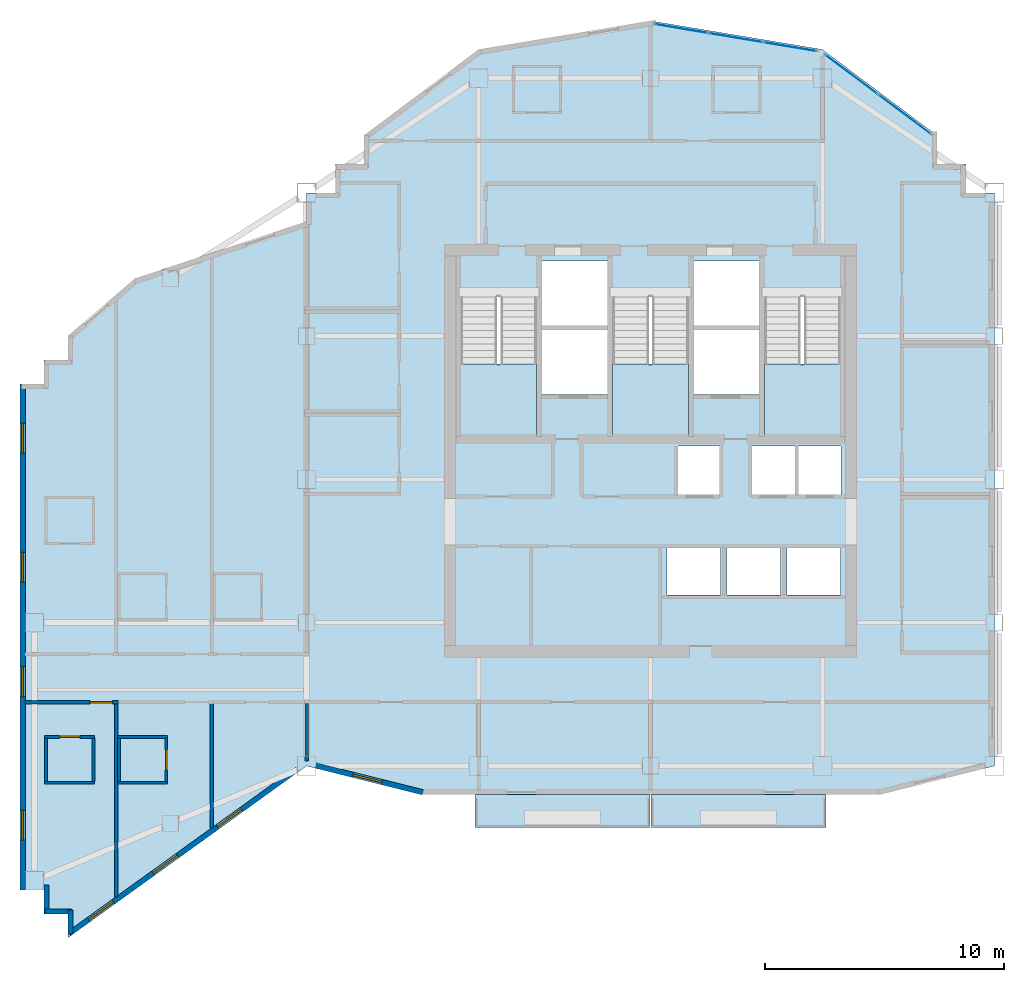
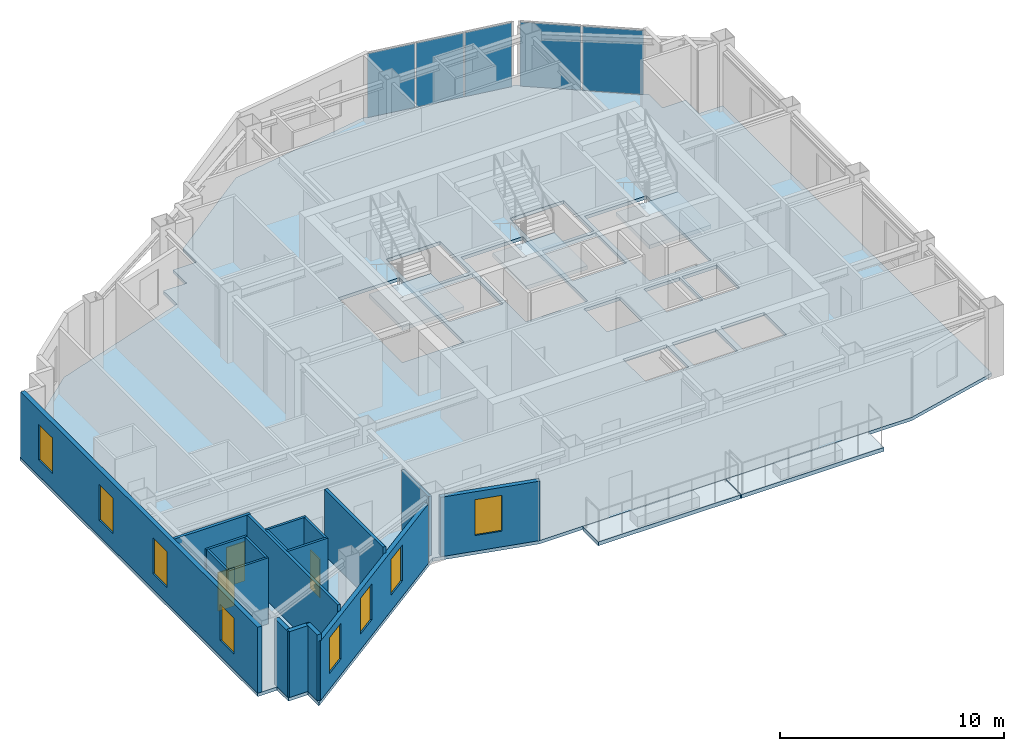
# One storey, part 4 of 9: 18 walls, 8 windows, 6 slabs, 5 plates, 3 doors, 11 openings, 5 elements without a shape of their own.
"""IFC4 building model written with IfcOpenShell, lengths in metres."""

from ifc_helpers import new_model, si_unit, direction, frame, frame_2d, origin, origin_2d, place, context, subcontext, project, spatial, polyline, rectangle, outline, extrude, material, layer, layer_set, type_object, element, fill, aggregate, save


model = new_model("IFC4")

# Units and contexts
model_context = context("Model", 3, precision=1e-05, world=origin(), true_north=direction((0.0, 1.0)))
body_context = subcontext(model_context, "Body", "Model", "MODEL_VIEW")
ifc_project = project(units=[si_unit("LENGTHUNIT", "METRE"), si_unit("AREAUNIT", "SQUARE_METRE"), si_unit("VOLUMEUNIT", "CUBIC_METRE"), si_unit("PLANEANGLEUNIT", "RADIAN"), si_unit("MASSUNIT", "GRAM", prefix="KILO")], contexts=[model_context])

# Site, building, storey
site_placement = place(None, origin())
site = spatial("IfcSite", under=ifc_project, at=site_placement, CompositionType="ELEMENT")
building_placement = place(site_placement, origin())
building = spatial("IfcBuilding", under=site, at=building_placement, Name="Haolan Belvedere Tower", CompositionType="ELEMENT")
storey_placement = place(building_placement, frame((0.0, 0.0, 273.699951171875)))
storey = spatial("IfcBuildingStorey", under=building, at=storey_placement, Name="L69", CompositionType="ELEMENT", Elevation=273.699951171875)

# Curtain wall, plates
ifc_material_1 = material(Name="Anodised champagne-silver aluminium 6063-T6 and Low-E glass", Category="aluminium")
ifc_layer_1 = layer(ifc_material_1, 0.14501953125, Name="Anodised champagne-silver aluminium 6063-T6 and Low-E glass")
ifc_layer_set_1 = layer_set([ifc_layer_1], Name="Anodised champagne-silver aluminium 6063-T6 and Low-E glass")
curtain_wall_type = type_object("IfcCurtainWallType", Name="CW-SYS-05", PredefinedType="NOTDEFINED", material=ifc_layer_set_1)
curtain_wall_1_placement = place(storey_placement, origin())
curtain_wall_1 = element("IfcCurtainWall", 1, at=curtain_wall_1_placement, inside=storey, type_object=curtain_wall_type, Name="L69 CW-SYS-05 ribbon curtain wall 8.1", PredefinedType="NOTDEFINED")
ifc_material_2 = material(Name="Double silver Low-E laminated insulating glass", Category="glass")
ifc_layer_2 = layer(ifc_material_2, 0.02197265625, Name="Double silver Low-E laminated insulating glass")
ifc_layer_set_2 = layer_set([ifc_layer_2], Name="Double silver Low-E laminated insulating glass")
plate_type = type_object("IfcPlateType", Name="CW-SYS-05-PNL", PredefinedType="CURTAIN_PANEL", material=ifc_layer_set_2)
plate_1_placement = place(storey_placement, frame((49.03955078125, 48.8828125, 0.05029296875), z_axis=(0.0, 0.0, 1.0), x_axis=(-0.799997871638, 0.600002837806, 0.0)))
plate_1 = element("IfcPlate", 2, at=plate_1_placement, type_object=plate_type, Name="CW-05 panel 1.1", PredefinedType="CURTAIN_PANEL", context=body_context, shape_type="SweptSolid", body=[
    extrude(rectangle(XDim=2.738037109375, YDim=0.02197265625, at=origin_2d()), origin(), (0.0, 0.0, 1.0), 3.489990234375),
])
plate_2_placement = place(storey_placement, frame((46.805908203125, 50.55810546875, 0.05029296875), z_axis=(0.0, 0.0, 1.0), x_axis=(-0.799997871638, 0.600002837806, 0.0)))
plate_2 = element("IfcPlate", 3, at=plate_2_placement, type_object=plate_type, Name="CW-05 panel 2.1", PredefinedType="CURTAIN_PANEL", context=body_context, shape_type="SweptSolid", body=[
    extrude(rectangle(XDim=2.738037109375, YDim=0.02197265625, at=origin_2d()), origin(), (0.0, 0.0, 1.0), 3.489990234375),
])
aggregate(curtain_wall_1, [plate_1, plate_2])

curtain_wall_2_placement = place(storey_placement, origin())
curtain_wall_2 = element("IfcCurtainWall", 4, at=curtain_wall_2_placement, inside=storey, type_object=curtain_wall_type, Name="L69 CW-SYS-05 ribbon curtain wall 9.1", PredefinedType="NOTDEFINED")
plate_3_placement = place(storey_placement, frame((44.257568359375, 51.712158203125, 0.05029296875), z_axis=(0.0, 0.0, 1.0), x_axis=(-0.98639276122, 0.164405962825, 0.0)))
plate_3 = element("IfcPlate", 5, at=plate_3_placement, type_object=plate_type, Name="CW-05 panel 1.1", PredefinedType="CURTAIN_PANEL", context=body_context, shape_type="SweptSolid", body=[
    extrude(rectangle(XDim=2.24365234375, YDim=0.02197265625, at=origin_2d()), origin(), (0.0, 0.0, 1.0), 3.489990234375),
])
plate_4_placement = place(storey_placement, frame((41.977783203125, 52.09228515625, 0.05029296875), z_axis=(0.0, 0.0, 1.0), x_axis=(-0.98639276122, 0.164405962825, 0.0)))
plate_4 = element("IfcPlate", 6, at=plate_4_placement, type_object=plate_type, Name="CW-05 panel 2.1", PredefinedType="CURTAIN_PANEL", context=body_context, shape_type="SweptSolid", body=[
    extrude(rectangle(XDim=2.270751953125, YDim=0.02197265625, at=origin_2d()), origin(), (0.0, 0.0, 1.0), 3.489990234375),
])
plate_5_placement = place(storey_placement, frame((39.697998046875, 52.47216796875, 0.05029296875), z_axis=(0.0, 0.0, 1.0), x_axis=(-0.98639276122, 0.164405962825, 0.0)))
plate_5 = element("IfcPlate", 7, at=plate_5_placement, type_object=plate_type, Name="CW-05 panel 3.1", PredefinedType="CURTAIN_PANEL", context=body_context, shape_type="SweptSolid", body=[
    extrude(rectangle(XDim=2.24365234375, YDim=0.02197265625, at=origin_2d()), origin(), (0.0, 0.0, 1.0), 3.489990234375),
])
aggregate(curtain_wall_2, [plate_3, plate_4, plate_5])

# Slabs
ifc_material_3 = material(Name="Concrete C40/50", Category="concrete")
ifc_layer_3 = layer(ifc_material_3, 0.2099609375, Name="Concrete C40/50")
ifc_layer_set_3 = layer_set([ifc_layer_3], Name="Concrete C40/50")
slab_type_1 = type_object("IfcSlabType", Name="SL-BAL-210", PredefinedType="FLOOR", material=ifc_layer_set_3)
slab_1_placement = place(storey_placement, frame((0.0, 0.0, -0.22998046875)))
element("IfcSlab", 8, at=slab_1_placement, inside=storey, type_object=slab_type_1, Name="L69 structural tree-planter balcony slab BAL-L69-S1", PredefinedType="FLOOR", context=body_context, shape_type="SweptSolid", body=[
    extrude(outline(polyline([(31.050048828125, 19.02001953125), (38.3798828125, 19.02001953125), (38.3798828125, 20.39990234375), (31.050048828125, 20.39990234375), (31.050048828125, 19.02001953125)])), origin(), (0.0, 0.0, 1.0), 0.2099609375),
])
slab_2_placement = place(storey_placement, frame((0.0, 0.0, -0.22998046875)))
element("IfcSlab", 9, at=slab_2_placement, inside=storey, type_object=slab_type_1, Name="L69 structural tree-planter balcony slab BAL-L69-S2", PredefinedType="FLOOR", context=body_context, shape_type="SweptSolid", body=[
    extrude(outline(polyline([(38.419921875, 19.02001953125), (45.75, 19.02001953125), (45.75, 20.39990234375), (38.419921875, 20.39990234375), (38.419921875, 19.02001953125)])), origin(), (0.0, 0.0, 1.0), 0.2099609375),
])
ifc_layer_4 = layer(ifc_material_3, 0.179931640625, Name="Concrete C40/50")
ifc_layer_set_4 = layer_set([ifc_layer_4], Name="Concrete C40/50")
slab_type_2 = type_object("IfcSlabType", Name="SL-FLR-180", PredefinedType="FLOOR", material=ifc_layer_set_4)
slab_3_placement = place(storey_placement, frame((0.0, 0.0, -0.179931640625)))
element("IfcSlab", 10, at=slab_3_placement, inside=storey, type_object=slab_type_2, Name="L69 structural floor slab", PredefinedType="FLOOR", context=body_context, shape_type="SweptSolid", body=[
    extrude(outline(polyline([(24.0, 21.60009765625), (28.800048828125, 20.39990234375), (48.0, 20.39990234375), (52.800048828125, 21.60009765625), (52.800048828125, 45.60009765625), (51.60009765625, 45.60009765625), (51.60009765625, 46.800048828125), (50.39990234375, 46.800048828125), (50.39990234375, 48.0), (45.60009765625, 51.60009765625), (38.39990234375, 52.800048828125), (31.199951171875, 51.60009765625), (26.39990234375, 48.0), (26.39990234375, 46.800048828125), (25.199951171875, 46.800048828125), (25.199951171875, 45.60009765625), (24.0, 45.60009765625), (24.0, 44.39990234375), (16.800048828125, 42.0), (14.0, 39.60009765625), (14.0, 38.60009765625), (13.0, 38.60009765625), (13.0, 37.60009765625), (12.0, 37.60009765625), (12.0, 16.800048828125), (12.0, 16.39990234375), (13.0, 16.39990234375), (13.0, 15.39990234375), (14.0, 15.39990234375), (14.0, 14.39990234375), (24.0, 21.60009765625)]), holes=[polyline([(30.449951171875, 41.22998046875), (30.449951171875, 35.449951171875), (33.6298828125, 35.449951171875), (33.6298828125, 41.22998046875), (30.449951171875, 41.22998046875)]), polyline([(36.81005859375, 41.22998046875), (36.81005859375, 35.449951171875), (39.989990234375, 35.449951171875), (39.989990234375, 41.22998046875), (36.81005859375, 41.22998046875)]), polyline([(43.169921875, 41.22998046875), (43.169921875, 35.449951171875), (46.35009765625, 35.449951171875), (46.35009765625, 41.22998046875), (43.169921875, 41.22998046875)]), polyline([(33.830078125, 40.050048828125), (36.610107421875, 40.050048828125), (36.610107421875, 42.75), (33.830078125, 42.75), (33.830078125, 40.050048828125)]), polyline([(33.830078125, 37.14990234375), (36.610107421875, 37.14990234375), (36.610107421875, 39.85009765625), (33.830078125, 39.85009765625), (33.830078125, 37.14990234375)]), polyline([(40.18994140625, 40.050048828125), (42.969970703125, 40.050048828125), (42.969970703125, 42.75), (40.18994140625, 42.75), (40.18994140625, 40.050048828125)]), polyline([(40.18994140625, 37.14990234375), (42.969970703125, 37.14990234375), (42.969970703125, 39.85009765625), (40.18994140625, 39.85009765625), (40.18994140625, 37.14990234375)]), polyline([(39.5400390625, 32.949951171875), (41.389892578125, 32.949951171875), (41.389892578125, 35.0), (39.5400390625, 35.0), (39.5400390625, 32.949951171875)]), polyline([(42.6201171875, 32.949951171875), (44.469970703125, 32.949951171875), (44.469970703125, 35.0), (42.6201171875, 35.0), (42.6201171875, 32.949951171875)]), polyline([(44.580078125, 32.949951171875), (46.3798828125, 32.949951171875), (46.3798828125, 35.0), (44.580078125, 35.0), (44.580078125, 32.949951171875)]), polyline([(39.10009765625, 28.75), (41.340087890625, 28.75), (41.340087890625, 30.75), (39.10009765625, 30.75), (39.10009765625, 28.75)]), polyline([(41.610107421875, 28.75), (43.85009765625, 28.75), (43.85009765625, 30.75), (41.610107421875, 30.75), (41.610107421875, 28.75)]), polyline([(44.1201171875, 28.75), (46.360107421875, 28.75), (46.360107421875, 30.75), (44.1201171875, 30.75), (44.1201171875, 28.75)])]), origin(), (0.0, 0.0, 1.0), 0.179931640625),
])

# Stair, slab
stair_type = type_object("IfcStairType", Name="STR-DL-22R-175", PredefinedType="HALF_TURN_STAIR", material=ifc_material_3)
stair_1_placement = place(storey_placement, origin())
stair_1 = element("IfcStair", 11, at=stair_1_placement, inside=storey, type_object=stair_type, Name="L69 Smokeproof Core Exit Stair ST1", PredefinedType="HALF_TURN_STAIR")
ifc_layer_5 = layer(ifc_material_3, 0.199951171875, Name="Concrete C40/50")
ifc_layer_set_5 = layer_set([ifc_layer_5], Name="Concrete C40/50")
slab_type_3 = type_object("IfcSlabType", Name="SL-LAND-200", PredefinedType="LANDING", material=ifc_layer_set_5)
slab_4_placement = place(storey_placement, frame((0.0, 0.0, 1.72509765625)))
slab_4 = element("IfcSlab", 12, at=slab_4_placement, type_object=slab_type_3, Name="ST1 landing 1", PredefinedType="LANDING", context=body_context, shape_type="SweptSolid", body=[
    extrude(outline(polyline([(30.449951171875, 38.429931640625), (30.449951171875, 35.449951171875), (33.6298828125, 35.449951171875), (33.6298828125, 38.429931640625), (30.449951171875, 38.429931640625)])), origin(), (0.0, 0.0, 1.0), 0.199951171875),
])
aggregate(stair_1, [slab_4])

stair_2_placement = place(storey_placement, origin())
stair_2 = element("IfcStair", 13, at=stair_2_placement, inside=storey, type_object=stair_type, Name="L69 Smokeproof Core Exit Stair ST3", PredefinedType="HALF_TURN_STAIR")
slab_5_placement = place(storey_placement, frame((0.0, 0.0, 1.72509765625)))
slab_5 = element("IfcSlab", 14, at=slab_5_placement, type_object=slab_type_3, Name="ST3 landing 1", PredefinedType="LANDING", context=body_context, shape_type="SweptSolid", body=[
    extrude(outline(polyline([(36.81005859375, 38.429931640625), (36.81005859375, 35.449951171875), (39.989990234375, 35.449951171875), (39.989990234375, 38.429931640625), (36.81005859375, 38.429931640625)])), origin(), (0.0, 0.0, 1.0), 0.199951171875),
])
aggregate(stair_2, [slab_5])

stair_3_placement = place(storey_placement, origin())
stair_3 = element("IfcStair", 15, at=stair_3_placement, inside=storey, type_object=stair_type, Name="L69 Smokeproof Core Exit Stair ST2", PredefinedType="HALF_TURN_STAIR")
slab_6_placement = place(storey_placement, frame((0.0, 0.0, 1.72509765625)))
slab_6 = element("IfcSlab", 16, at=slab_6_placement, type_object=slab_type_3, Name="ST2 landing 1", PredefinedType="LANDING", context=body_context, shape_type="SweptSolid", body=[
    extrude(outline(polyline([(43.169921875, 38.429931640625), (43.169921875, 35.449951171875), (46.35009765625, 35.449951171875), (46.35009765625, 38.429931640625), (43.169921875, 38.429931640625)])), origin(), (0.0, 0.0, 1.0), 0.199951171875),
])
aggregate(stair_3, [slab_6])

# Wall, openings, windows
ifc_material_4 = material(Name="Precast concrete C40/50", Category="concrete")
ifc_layer_6 = layer(ifc_material_4, 0.219970703125, Name="Precast concrete C40/50")
ifc_layer_set_6 = layer_set([ifc_layer_6], Name="Precast concrete C40/50")
wall_type_1 = type_object("IfcWallType", Name="WL-EXT-220", PredefinedType="SOLIDWALL", material=ifc_layer_set_6)
wall_1_placement = place(storey_placement, frame((12.110107421875, 37.544921875, 0.0), z_axis=(0.0, 0.0, 1.0), x_axis=(0.0, -1.0, 0.0)))
wall_1 = element("IfcWall", 17, at=wall_1_placement, inside=storey, type_object=wall_type_1, Name="L69 pale-metal exterior spandrel wall 23.1", PredefinedType="SOLIDWALL", context=body_context, shape_type="SweptSolid", body=[
    extrude(rectangle(XDim=21.14501953125, YDim=0.219970703125, at=frame_2d((10.572509765625, 0.0))), origin(), (0.0, 0.0, 1.0), 3.590087890625),
])
opening_1_placement = place(wall_1_placement, frame((1.60009765625, 0.0, 0.85009765625)))
opening_1 = element("IfcOpeningElement", 18, at=opening_1_placement, cuts=wall_1, Name="Opening W-04", PredefinedType="OPENING", context=body_context, shape_type="SweptSolid", body=[
    extrude(rectangle(XDim=1.25, YDim=1.949951171875, at=frame_2d((0.625, 0.97509765625))), frame((0.0, 0.119873046875, 0.0), z_axis=(0.0, -1.0, 0.0), x_axis=(1.0, 0.0, 0.0)), (0.0, 0.0, 1.0), 0.239990234375),
])
opening_2_placement = place(wall_1_placement, frame((7.0, 0.0, 0.85009765625)))
opening_2 = element("IfcOpeningElement", 19, at=opening_2_placement, cuts=wall_1, Name="Opening W-04", PredefinedType="OPENING", context=body_context, shape_type="SweptSolid", body=[
    extrude(rectangle(XDim=1.25, YDim=1.949951171875, at=frame_2d((0.625, 0.97509765625))), frame((0.0, 0.119873046875, 0.0), z_axis=(0.0, -1.0, 0.0), x_axis=(1.0, 0.0, 0.0)), (0.0, 0.0, 1.0), 0.239990234375),
])
opening_3_placement = place(wall_1_placement, frame((11.7900390625, 0.0, 0.85009765625)))
opening_3 = element("IfcOpeningElement", 20, at=opening_3_placement, cuts=wall_1, Name="Opening W-04", PredefinedType="OPENING", context=body_context, shape_type="SweptSolid", body=[
    extrude(rectangle(XDim=1.25, YDim=1.949951171875, at=frame_2d((0.625, 0.97509765625))), frame((0.0, 0.119873046875, 0.0), z_axis=(0.0, -1.0, 0.0), x_axis=(1.0, 0.0, 0.0)), (0.0, 0.0, 1.0), 0.239990234375),
])
opening_4_placement = place(wall_1_placement, frame((17.800048828125, 0.0, 0.85009765625)))
opening_4 = element("IfcOpeningElement", 21, at=opening_4_placement, cuts=wall_1, Name="Opening W-04", PredefinedType="OPENING", context=body_context, shape_type="SweptSolid", body=[
    extrude(rectangle(XDim=1.25, YDim=1.949951171875, at=frame_2d((0.625, 0.97509765625))), frame((0.0, 0.119873046875, 0.0), z_axis=(0.0, -1.0, 0.0), x_axis=(1.0, 0.0, 0.0)), (0.0, 0.0, 1.0), 0.239990234375),
])
ifc_material_5 = material(Name="Anodised aluminium 6063-T6 and Low-E glass", Category="aluminium")
window_type = type_object("IfcWindowType", Name="WN-DECO-Z4", PartitioningType="SINGLE_PANEL", PredefinedType="WINDOW", material=ifc_material_5)
window_1_placement = place(opening_1_placement, origin())
window_1 = element("IfcWindow", 22, at=window_1_placement, inside=storey, type_object=window_type, Name="L69 Art Deco chevron window 1", OverallHeight=1.949951171875, OverallWidth=1.25, PartitioningType="SINGLE_PANEL", PredefinedType="WINDOW", context=body_context, shape_type="SweptSolid", body=[
    extrude(rectangle(XDim=1.25, YDim=1.949951171875, at=frame_2d((0.625, 0.97509765625))), frame((0.0, 0.030029296875, 0.0), z_axis=(0.0, -1.0, 0.0), x_axis=(1.0, 0.0, 0.0)), (0.0, 0.0, 1.0), 0.06005859375),
])
fill(opening_1, window_1)
window_2_placement = place(opening_2_placement, origin())
window_2 = element("IfcWindow", 23, at=window_2_placement, inside=storey, type_object=window_type, Name="L69 Art Deco chevron window 2", OverallHeight=1.949951171875, OverallWidth=1.25, PartitioningType="SINGLE_PANEL", PredefinedType="WINDOW", context=body_context, shape_type="SweptSolid", body=[
    extrude(rectangle(XDim=1.25, YDim=1.949951171875, at=frame_2d((0.625, 0.97509765625))), frame((0.0, 0.030029296875, 0.0), z_axis=(0.0, -1.0, 0.0), x_axis=(1.0, 0.0, 0.0)), (0.0, 0.0, 1.0), 0.06005859375),
])
fill(opening_2, window_2)
window_3_placement = place(opening_3_placement, origin())
window_3 = element("IfcWindow", 24, at=window_3_placement, inside=storey, type_object=window_type, Name="L69 Art Deco chevron window 3", OverallHeight=1.949951171875, OverallWidth=1.25, PartitioningType="SINGLE_PANEL", PredefinedType="WINDOW", context=body_context, shape_type="SweptSolid", body=[
    extrude(rectangle(XDim=1.25, YDim=1.949951171875, at=frame_2d((0.625, 0.97509765625))), frame((0.0, 0.030029296875, 0.0), z_axis=(0.0, -1.0, 0.0), x_axis=(1.0, 0.0, 0.0)), (0.0, 0.0, 1.0), 0.06005859375),
])
fill(opening_3, window_3)
window_4_placement = place(opening_4_placement, origin())
window_4 = element("IfcWindow", 25, at=window_4_placement, inside=storey, type_object=window_type, Name="L69 Art Deco chevron window 4", OverallHeight=1.949951171875, OverallWidth=1.25, PartitioningType="SINGLE_PANEL", PredefinedType="WINDOW", context=body_context, shape_type="SweptSolid", body=[
    extrude(rectangle(XDim=1.25, YDim=1.949951171875, at=frame_2d((0.625, 0.97509765625))), frame((0.0, 0.030029296875, 0.0), z_axis=(0.0, -1.0, 0.0), x_axis=(1.0, 0.0, 0.0)), (0.0, 0.0, 1.0), 0.06005859375),
])
fill(opening_4, window_4)

# Walls
wall_2_placement = place(storey_placement, frame((13.110107421875, 16.6201171875, 0.0), z_axis=(0.0, 0.0, 1.0), x_axis=(0.0, -1.0, 0.0)))
element("IfcWall", 26, at=wall_2_placement, inside=storey, type_object=wall_type_1, Name="L69 pale-metal exterior spandrel wall 25.1", PredefinedType="SOLIDWALL", context=body_context, shape_type="SweptSolid", body=[
    extrude(rectangle(XDim=1.1650390625, YDim=0.219970703125, at=frame_2d((0.58251953125, 0.0))), origin(), (0.0, 0.0, 1.0), 3.590087890625),
])
wall_3_placement = place(storey_placement, frame((13.054931640625, 15.510009765625, 0.0), z_axis=(0.0, 0.0, 1.0), x_axis=(1.0, 0.0, 0.0)))
element("IfcWall", 27, at=wall_3_placement, inside=storey, type_object=wall_type_1, Name="L69 pale-metal exterior spandrel wall 26.1", PredefinedType="SOLIDWALL", context=body_context, shape_type="SweptSolid", body=[
    extrude(rectangle(XDim=1.110107421875, YDim=0.219970703125, at=frame_2d((0.55517578125, 0.0))), origin(), (0.0, 0.0, 1.0), 3.590087890625),
])
wall_4_placement = place(storey_placement, frame((14.110107421875, 15.56494140625, 0.0), z_axis=(0.0, 0.0, 1.0), x_axis=(0.0, -1.0, 0.0)))
element("IfcWall", 28, at=wall_4_placement, inside=storey, type_object=wall_type_1, Name="L69 pale-metal exterior spandrel wall 27.1", PredefinedType="SOLIDWALL", context=body_context, shape_type="SweptSolid", body=[
    extrude(rectangle(XDim=1.005126953125, YDim=0.219970703125, at=frame_2d((0.50244140625, 0.0))), origin(), (0.0, 0.0, 1.0), 3.590087890625),
])

# Wall, openings, windows
wall_5_placement = place(storey_placement, frame((14.0654296875, 14.58251953125, 0.0), z_axis=(0.0, 0.0, 1.0), x_axis=(0.811523708458, 0.584319493608, 0.0)))
wall_5 = element("IfcWall", 29, at=wall_5_placement, inside=storey, type_object=wall_type_1, Name="L69 pale-metal exterior spandrel wall 28.1", PredefinedType="SOLIDWALL", context=body_context, shape_type="SweptSolid", body=[
    extrude(rectangle(XDim=11.7587890625, YDim=0.219970703125, at=frame_2d((5.87939453125, 0.0))), origin(), (0.0, 0.0, 1.0), 3.235107421875),
])
opening_5_placement = place(wall_5_placement, frame((1.00927734375, 0.0, 0.85009765625)))
opening_5 = element("IfcOpeningElement", 30, at=opening_5_placement, cuts=wall_5, Name="Opening W-04", PredefinedType="OPENING", context=body_context, shape_type="SweptSolid", body=[
    extrude(rectangle(XDim=1.25, YDim=1.949951171875, at=frame_2d((0.625, 0.97509765625))), frame((0.0, 0.119873046875, 0.0), z_axis=(0.0, -1.0, 0.0), x_axis=(1.0, 0.0, 0.0)), (0.0, 0.0, 1.0), 0.239990234375),
])
opening_6_placement = place(wall_5_placement, frame((7.64599609375, 0.0, 0.85009765625)))
opening_6 = element("IfcOpeningElement", 31, at=opening_6_placement, cuts=wall_5, Name="Opening W-04", PredefinedType="OPENING", context=body_context, shape_type="SweptSolid", body=[
    extrude(rectangle(XDim=1.25, YDim=1.949951171875, at=frame_2d((0.625, 0.97509765625))), frame((0.0, 0.119873046875, 0.0), z_axis=(0.0, -1.0, 0.0), x_axis=(1.0, 0.0, 0.0)), (0.0, 0.0, 1.0), 0.239990234375),
])
opening_7_placement = place(wall_5_placement, frame((4.32763671875, 0.0, 0.85009765625)))
opening_7 = element("IfcOpeningElement", 32, at=opening_7_placement, cuts=wall_5, Name="Opening W-04", PredefinedType="OPENING", context=body_context, shape_type="SweptSolid", body=[
    extrude(rectangle(XDim=1.25, YDim=1.949951171875, at=frame_2d((0.625, 0.97509765625))), frame((0.0, 0.119873046875, 0.0), z_axis=(0.0, -1.0, 0.0), x_axis=(1.0, 0.0, 0.0)), (0.0, 0.0, 1.0), 0.239990234375),
])
window_5_placement = place(opening_5_placement, origin())
window_5 = element("IfcWindow", 33, at=window_5_placement, inside=storey, type_object=window_type, Name="L69 Art Deco chevron window 1", OverallHeight=1.949951171875, OverallWidth=1.25, PartitioningType="SINGLE_PANEL", PredefinedType="WINDOW", context=body_context, shape_type="SweptSolid", body=[
    extrude(rectangle(XDim=1.25, YDim=1.949951171875, at=frame_2d((0.625, 0.97509765625))), frame((0.0, 0.030029296875, 0.0), z_axis=(0.0, -1.0, 0.0), x_axis=(1.0, 0.0, 0.0)), (0.0, 0.0, 1.0), 0.06005859375),
])
fill(opening_5, window_5)
window_6_placement = place(opening_6_placement, origin())
window_6 = element("IfcWindow", 34, at=window_6_placement, inside=storey, type_object=window_type, Name="L69 Art Deco chevron window 2", OverallHeight=1.949951171875, OverallWidth=1.25, PartitioningType="SINGLE_PANEL", PredefinedType="WINDOW", context=body_context, shape_type="SweptSolid", body=[
    extrude(rectangle(XDim=1.25, YDim=1.949951171875, at=frame_2d((0.625, 0.97509765625))), frame((0.0, 0.030029296875, 0.0), z_axis=(0.0, -1.0, 0.0), x_axis=(1.0, 0.0, 0.0)), (0.0, 0.0, 1.0), 0.06005859375),
])
fill(opening_6, window_6)
window_7_placement = place(opening_7_placement, origin())
window_7 = element("IfcWindow", 35, at=window_7_placement, inside=storey, type_object=window_type, Name="L69 Art Deco guestroom window 1", OverallHeight=1.949951171875, OverallWidth=1.25, PartitioningType="SINGLE_PANEL", PredefinedType="WINDOW", context=body_context, shape_type="SweptSolid", body=[
    extrude(rectangle(XDim=1.25, YDim=1.949951171875, at=frame_2d((0.625, 0.97509765625))), frame((0.0, 0.030029296875, 0.0), z_axis=(0.0, -1.0, 0.0), x_axis=(1.0, 0.0, 0.0)), (0.0, 0.0, 1.0), 0.06005859375),
])
fill(opening_7, window_7)

# Wall, opening, window
wall_6_placement = place(storey_placement, frame((24.39208984375, 21.615478515625, 0.0), z_axis=(0.0, 0.0, 1.0), x_axis=(0.970133159038, -0.242572986408, 0.0)))
wall_6 = element("IfcWall", 36, at=wall_6_placement, inside=storey, type_object=wall_type_1, Name="L69 pale-metal exterior spandrel wall 29.1", PredefinedType="SOLIDWALL", context=body_context, shape_type="SweptSolid", body=[
    extrude(rectangle(XDim=4.612548828125, YDim=0.219970703125, at=frame_2d((2.30615234375, 0.0))), origin(), (0.0, 0.0, 1.0), 3.235107421875),
])
opening_8_placement = place(wall_6_placement, frame((1.60009765625, 0.0, 0.85009765625)))
opening_8 = element("IfcOpeningElement", 37, at=opening_8_placement, cuts=wall_6, Name="Opening W-04", PredefinedType="OPENING", context=body_context, shape_type="SweptSolid", body=[
    extrude(rectangle(XDim=1.25, YDim=1.949951171875, at=frame_2d((0.625, 0.97509765625))), frame((0.0, 0.119873046875, 0.0), z_axis=(0.0, -1.0, 0.0), x_axis=(1.0, 0.0, 0.0)), (0.0, 0.0, 1.0), 0.239990234375),
])
window_8_placement = place(opening_8_placement, origin())
window_8 = element("IfcWindow", 38, at=window_8_placement, inside=storey, type_object=window_type, Name="L69 Art Deco chevron window 1", OverallHeight=1.949951171875, OverallWidth=1.25, PartitioningType="SINGLE_PANEL", PredefinedType="WINDOW", context=body_context, shape_type="SweptSolid", body=[
    extrude(rectangle(XDim=1.25, YDim=1.949951171875, at=frame_2d((0.625, 0.97509765625))), frame((0.0, 0.030029296875, 0.0), z_axis=(0.0, -1.0, 0.0), x_axis=(1.0, 0.0, 0.0)), (0.0, 0.0, 1.0), 0.06005859375),
])
fill(opening_8, window_8)

# Wall
ifc_material_6 = material(Name="Double gypsum acoustic stud partition", Category="masonry")
ifc_layer_7 = layer(ifc_material_6, 0.14990234375, Name="Double gypsum acoustic stud partition")
ifc_layer_set_7 = layer_set([ifc_layer_7], Name="Double gypsum acoustic stud partition")
wall_type_2 = type_object("IfcWallType", Name="WL-PART-150", PredefinedType="PARTITIONING", material=ifc_layer_set_7)
wall_7_placement = place(storey_placement, frame((24.0, 21.818603515625, 0.0), z_axis=(0.0, 0.0, 1.0), x_axis=(0.0, 1.0, 0.0)))
element("IfcWall", 39, at=wall_7_placement, inside=storey, type_object=wall_type_2, Name="L69 interior partition IW-L69-KS1-W", PredefinedType="PARTITIONING", context=body_context, shape_type="SweptSolid", body=[
    extrude(rectangle(XDim=2.4013671875, YDim=0.14990234375, at=frame_2d((1.20068359375, 0.0))), origin(), (0.0, 0.0, 1.0), 3.235107421875),
])

# Wall, opening, door
wall_8_placement = place(storey_placement, frame((12.2119140625, 24.27001953125, 0.0), z_axis=(0.0, 0.0, 1.0), x_axis=(1.0, 0.0, 0.0)))
wall_8 = element("IfcWall", 40, at=wall_8_placement, inside=storey, type_object=wall_type_2, Name="L69 interior partition IW-L69-T2S1-N", PredefinedType="PARTITIONING", context=body_context, shape_type="SweptSolid", body=[
    extrude(rectangle(XDim=3.91796875, YDim=0.14990234375, at=frame_2d((1.958984375, 0.0))), origin(), (0.0, 0.0, 1.0), 3.590087890625),
])
opening_9_placement = place(wall_8_placement, frame((3.663330078125, 0.0, 0.0), z_axis=(0.0, 0.0, 1.0), x_axis=(-1.0, 0.0, 0.0)))
opening_9 = element("IfcOpeningElement", 41, at=opening_9_placement, cuts=wall_8, Name="Opening ID-02", PredefinedType="OPENING", context=body_context, shape_type="SweptSolid", body=[
    extrude(rectangle(XDim=0.949951171875, YDim=2.14990234375, at=frame_2d((0.47509765625, 1.074951171875))), frame((0.0, 0.0849609375, 0.0), z_axis=(0.0, -1.0, 0.0), x_axis=(1.0, 0.0, 0.0)), (0.0, 0.0, 1.0), 0.169921875),
])
ifc_material_7 = material(Name="Acoustic oak veneer fire-rated timber", Category="wood")
door_type_1 = type_object("IfcDoorType", Name="DR-GUEST-950", OperationType="NOTDEFINED", PredefinedType="DOOR", material=ifc_material_7)
door_1_placement = place(opening_9_placement, origin())
door_1 = element("IfcDoor", 42, at=door_1_placement, inside=storey, type_object=door_type_1, Name="L69 door ID-L69-T2S1-ENT", OperationType="SINGLE_SWING_RIGHT", OverallHeight=2.14990234375, OverallWidth=0.949951171875, PredefinedType="DOOR", context=body_context, shape_type="SweptSolid", body=[
    extrude(rectangle(XDim=0.949951171875, YDim=2.14990234375, at=frame_2d((0.47509765625, 1.074951171875))), frame((0.0, 0.02490234375, 0.0), z_axis=(0.0, -1.0, 0.0), x_axis=(1.0, 0.0, 0.0)), (0.0, 0.0, 1.0), 0.050048828125),
])
fill(opening_9, door_1)

# Walls
wall_9_placement = place(storey_placement, frame((16.030029296875, 16.122802734375, 0.0), z_axis=(0.0, 0.0, 1.0), x_axis=(0.0, 1.0, 0.0)))
element("IfcWall", 43, at=wall_9_placement, inside=storey, type_object=wall_type_2, Name="L69 interior partition IW-L69-T2S1-E", PredefinedType="PARTITIONING", context=body_context, shape_type="SweptSolid", body=[
    extrude(rectangle(XDim=8.087158203125, YDim=0.14990234375, at=frame_2d((4.04345703125, 0.0))), origin(), (0.0, 0.0, 1.0), 3.590087890625),
])
wall_10_placement = place(storey_placement, frame((20.02001953125, 18.99560546875, 0.0), z_axis=(0.0, 0.0, 1.0), x_axis=(0.0, 1.0, 0.0)))
element("IfcWall", 44, at=wall_10_placement, inside=storey, type_object=wall_type_2, Name="L69 interior partition IW-L69-T2S2-E", PredefinedType="PARTITIONING", context=body_context, shape_type="SweptSolid", body=[
    extrude(rectangle(XDim=5.21435546875, YDim=0.14990234375, at=frame_2d((2.607177734375, 0.0))), origin(), (0.0, 0.0, 1.0), 3.590087890625),
])

# Wall, opening, door
ifc_material_8 = material(Name="Moisture-resistant gypsum tile partition", Category="masonry")
ifc_layer_8 = layer(ifc_material_8, 0.1201171875, Name="Moisture-resistant gypsum tile partition")
ifc_layer_set_8 = layer_set([ifc_layer_8], Name="Moisture-resistant gypsum tile partition")
wall_type_3 = type_object("IfcWallType", Name="WL-WET-120", PredefinedType="PARTITIONING", material=ifc_layer_set_8)
wall_11_placement = place(storey_placement, frame((13.030029296875, 22.820068359375, 0.0), z_axis=(0.0, 0.0, 1.0), x_axis=(1.0, 0.0, 0.0)))
wall_11 = element("IfcWall", 45, at=wall_11_placement, inside=storey, type_object=wall_type_3, Name="L69 interior partition IW-L69-T2S1-BN", PredefinedType="PARTITIONING", context=body_context, shape_type="SweptSolid", body=[
    extrude(rectangle(XDim=2.099853515625, YDim=0.1201171875, at=frame_2d((1.0498046875, 0.0))), origin(), (0.0, 0.0, 1.0), 3.590087890625),
])
opening_10_placement = place(wall_11_placement, frame((1.47509765625, 0.0, 0.0), z_axis=(0.0, 0.0, 1.0), x_axis=(-1.0, 0.0, 0.0)))
opening_10 = element("IfcOpeningElement", 46, at=opening_10_placement, cuts=wall_11, Name="Opening ID-05", PredefinedType="OPENING", context=body_context, shape_type="SweptSolid", body=[
    extrude(rectangle(XDim=0.85009765625, YDim=2.10009765625, at=frame_2d((0.425048828125, 1.050048828125))), frame((0.0, 0.070068359375, 0.0), z_axis=(0.0, -1.0, 0.0), x_axis=(1.0, 0.0, 0.0)), (0.0, 0.0, 1.0), 0.14013671875),
])
ifc_material_9 = material(Name="Moisture-resistant lacquered timber", Category="wood")
door_type_2 = type_object("IfcDoorType", Name="DR-BATH-850", OperationType="NOTDEFINED", PredefinedType="DOOR", material=ifc_material_9)
door_2_placement = place(opening_10_placement, origin())
door_2 = element("IfcDoor", 47, at=door_2_placement, inside=storey, type_object=door_type_2, Name="L69 door ID-L69-T2S1-BATH", OperationType="SINGLE_SWING_LEFT", OverallHeight=2.10009765625, OverallWidth=0.85009765625, PredefinedType="DOOR", context=body_context, shape_type="SweptSolid", body=[
    extrude(rectangle(XDim=0.85009765625, YDim=2.10009765625, at=frame_2d((0.425048828125, 1.050048828125))), frame((0.0, 0.02490234375, 0.0), z_axis=(0.0, -1.0, 0.0), x_axis=(1.0, 0.0, 0.0)), (0.0, 0.0, 1.0), 0.050048828125),
])
fill(opening_10, door_2)

# Walls
wall_12_placement = place(storey_placement, frame((13.030029296875, 20.89990234375, 0.0), z_axis=(0.0, 0.0, 1.0), x_axis=(1.0, 0.0, 0.0)))
element("IfcWall", 48, at=wall_12_placement, inside=storey, type_object=wall_type_3, Name="L69 interior partition IW-L69-T2S1-BS", PredefinedType="PARTITIONING", context=body_context, shape_type="SweptSolid", body=[
    extrude(rectangle(XDim=2.099853515625, YDim=0.1201171875, at=frame_2d((1.0498046875, 0.0))), origin(), (0.0, 0.0, 1.0), 3.590087890625),
])
for number, where, z_axis, x_axis, name in (
    (49, (13.090087890625, 20.945068359375, 0.0), (0.0, 0.0, 1.0), (0.0, 1.0, 0.0), "L69 interior partition IW-L69-T2S1-BW"),
    (50, (15.070068359375, 20.945068359375, 0.0), (0.0, 0.0, 1.0), (0.0, 1.0, 0.0), "L69 interior partition IW-L69-T2S1-BE"),
):
    element("IfcWall", number, at=place(storey_placement, frame(where, z_axis=z_axis, x_axis=x_axis)), inside=storey, type_object=wall_type_3, Name=name, PredefinedType="PARTITIONING", context=body_context, shape_type="SweptSolid", body=[
        extrude(rectangle(XDim=1.829833984375, YDim=0.1201171875, at=frame_2d((0.9150390625, 0.0))), origin(), (0.0, 0.0, 1.0), 3.590087890625),
    ])
for number, where, z_axis, x_axis, name in (
    (51, (16.090087890625, 22.820068359375, 0.0), (0.0, 0.0, 1.0), (1.0, 0.0, 0.0), "L69 interior partition IW-L69-T2S2-BN"),
    (52, (16.090087890625, 20.89990234375, 0.0), (0.0, 0.0, 1.0), (1.0, 0.0, 0.0), "L69 interior partition IW-L69-T2S2-BS"),
):
    element("IfcWall", number, at=place(storey_placement, frame(where, z_axis=z_axis, x_axis=x_axis)), inside=storey, type_object=wall_type_3, Name=name, PredefinedType="PARTITIONING", context=body_context, shape_type="SweptSolid", body=[
        extrude(rectangle(XDim=2.094970703125, YDim=0.1201171875, at=frame_2d((1.04736328125, 0.0))), origin(), (0.0, 0.0, 1.0), 3.590087890625),
    ])
wall_13_placement = place(storey_placement, frame((16.14501953125, 20.945068359375, 0.0), z_axis=(0.0, 0.0, 1.0), x_axis=(0.0, 1.0, 0.0)))
element("IfcWall", 53, at=wall_13_placement, inside=storey, type_object=wall_type_3, Name="L69 interior partition IW-L69-T2S2-BW", PredefinedType="PARTITIONING", context=body_context, shape_type="SweptSolid", body=[
    extrude(rectangle(XDim=1.829833984375, YDim=0.1201171875, at=frame_2d((0.9150390625, 0.0))), origin(), (0.0, 0.0, 1.0), 3.590087890625),
])

# Wall, opening, door
wall_14_placement = place(storey_placement, frame((18.125, 20.945068359375, 0.0), z_axis=(0.0, 0.0, 1.0), x_axis=(0.0, 1.0, 0.0)))
wall_14 = element("IfcWall", 54, at=wall_14_placement, inside=storey, type_object=wall_type_3, Name="L69 interior partition IW-L69-T2S2-BE", PredefinedType="PARTITIONING", context=body_context, shape_type="SweptSolid", body=[
    extrude(rectangle(XDim=1.829833984375, YDim=0.1201171875, at=frame_2d((0.9150390625, 0.0))), origin(), (0.0, 0.0, 1.0), 3.590087890625),
])
opening_11_placement = place(wall_14_placement, frame((0.489990234375, 0.0, 0.0)))
opening_11 = element("IfcOpeningElement", 55, at=opening_11_placement, cuts=wall_14, Name="Opening ID-05", PredefinedType="OPENING", context=body_context, shape_type="SweptSolid", body=[
    extrude(rectangle(XDim=0.85009765625, YDim=2.10009765625, at=frame_2d((0.425048828125, 1.050048828125))), frame((0.0, 0.070068359375, 0.0), z_axis=(0.0, -1.0, 0.0), x_axis=(1.0, 0.0, 0.0)), (0.0, 0.0, 1.0), 0.14013671875),
])
door_3_placement = place(opening_11_placement, origin())
door_3 = element("IfcDoor", 56, at=door_3_placement, inside=storey, type_object=door_type_2, Name="L69 door ID-L69-T2S2-BATH", OperationType="SINGLE_SWING_RIGHT", OverallHeight=2.10009765625, OverallWidth=0.85009765625, PredefinedType="DOOR", context=body_context, shape_type="SweptSolid", body=[
    extrude(rectangle(XDim=0.85009765625, YDim=2.10009765625, at=frame_2d((0.425048828125, 1.050048828125))), frame((0.0, 0.02490234375, 0.0), z_axis=(0.0, -1.0, 0.0), x_axis=(1.0, 0.0, 0.0)), (0.0, 0.0, 1.0), 0.050048828125),
])
fill(opening_11, door_3)

save(model, "model.ifc")
